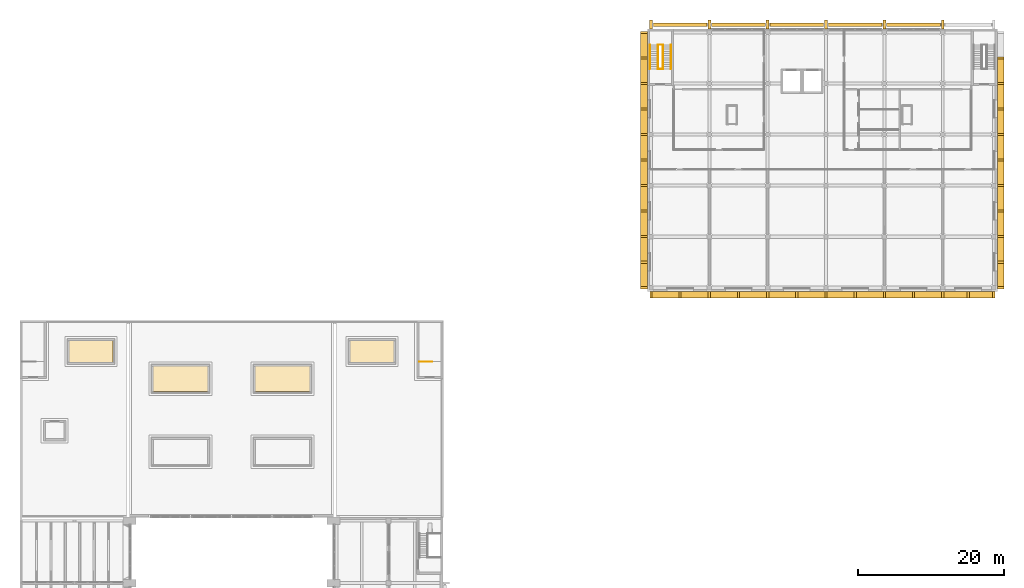
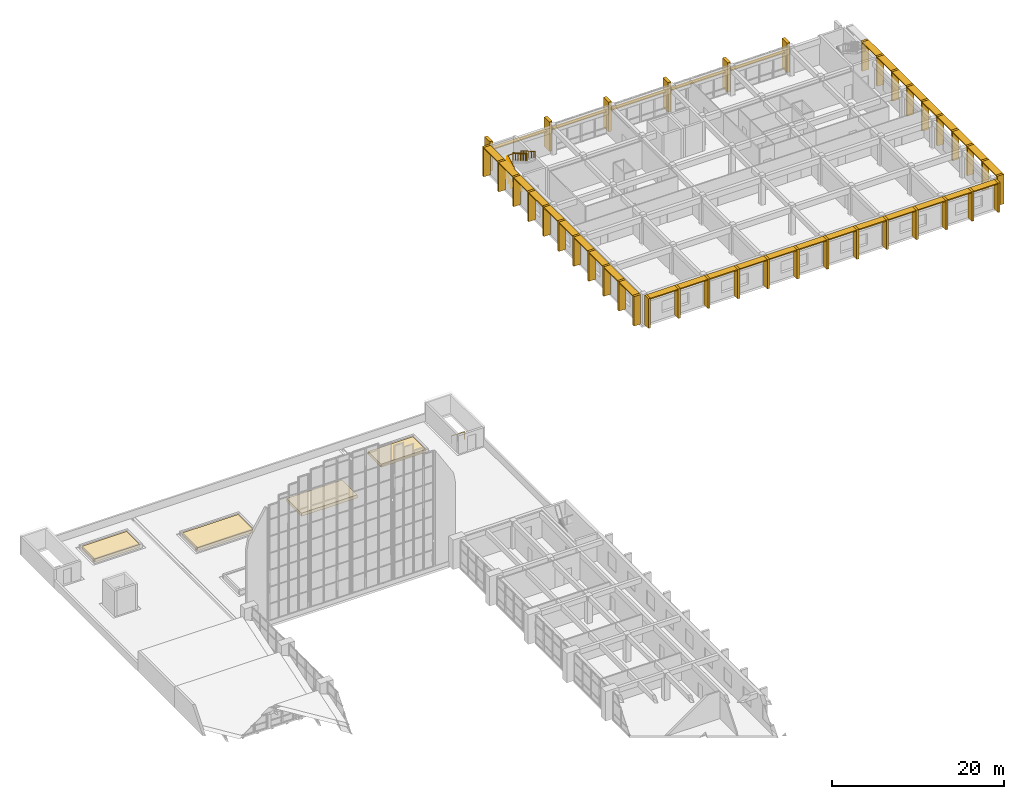
# One storey, part 42 of 43: 76 shading devices, 6 railings, 4 coverings.
"""IFC4 building model written with IfcOpenShell, lengths in metres."""

from ifc_helpers import new_model, si_unit, direction, frame, origin, origin_2d, place, context, subcontext, project, spatial, polyline, rectangle, circle, outline, extrude, material, layer, layer_set, type_object, element, save


model = new_model("IFC4")

# Units and contexts
model_context = context("Model", 3, precision=1e-05, world=origin(), true_north=direction((0.0, 1.0)))
body_context = subcontext(model_context, "Body", "Model", "MODEL_VIEW")
ifc_project = project(units=[si_unit("LENGTHUNIT", "METRE"), si_unit("AREAUNIT", "SQUARE_METRE"), si_unit("VOLUMEUNIT", "CUBIC_METRE"), si_unit("PLANEANGLEUNIT", "RADIAN"), si_unit("MASSUNIT", "GRAM", prefix="KILO")], contexts=[model_context])

# Site, building, storey
site_placement = place(None, origin())
site = spatial("IfcSite", under=ifc_project, at=site_placement, CompositionType="ELEMENT")
building_placement = place(site_placement, origin())
building = spatial("IfcBuilding", under=site, at=building_placement, Name="Elmora Arch Market Hall", CompositionType="ELEMENT")
storey_placement = place(building_placement, frame((0.0, 0.0, 10.199951171875)))
storey = spatial("IfcBuildingStorey", under=building, at=storey_placement, Name="L02", CompositionType="ELEMENT", Elevation=10.199951171875)

# Shading devices
ifc_material_1 = material(Name="Concrete C40/50", Category="concrete")
ifc_layer_1 = layer(ifc_material_1, 0.14990234375)
ifc_layer_set_1 = layer_set([ifc_layer_1], Name="Concrete C40/50")
shading_device_type_1 = type_object("IfcShadingDeviceType", Name="Concrete blade 150x900", PredefinedType="USERDEFINED", material=ifc_layer_set_1)
for number, where, z_axis, x_axis, name in (
    (1, (88.5, 129.550048828125, 4.050048828125), (0.0, 0.0, 1.0), (1.0, 0.0, 0.0), "School blade S1 L3"),
    (2, (92.5, 129.550048828125, 4.050048828125), (0.0, 0.0, 1.0), (1.0, 0.0, 0.0), "School blade S2 L3"),
    (3, (96.5, 129.550048828125, 4.050048828125), (0.0, 0.0, 1.0), (1.0, 0.0, 0.0), "School blade S3 L3"),
    (4, (100.5, 129.550048828125, 4.050048828125), (0.0, 0.0, 1.0), (1.0, 0.0, 0.0), "School blade S4 L3"),
    (5, (104.5, 129.550048828125, 4.050048828125), (0.0, 0.0, 1.0), (1.0, 0.0, 0.0), "School blade S5 L3"),
    (6, (108.5, 129.550048828125, 4.050048828125), (0.0, 0.0, 1.0), (1.0, 0.0, 0.0), "School blade S6 L3"),
    (7, (112.5, 129.550048828125, 4.050048828125), (0.0, 0.0, 1.0), (1.0, 0.0, 0.0), "School blade S7 L3"),
    (8, (116.5, 129.550048828125, 4.050048828125), (0.0, 0.0, 1.0), (1.0, 0.0, 0.0), "School blade S8 L3"),
    (9, (120.5, 129.550048828125, 4.050048828125), (0.0, 0.0, 1.0), (1.0, 0.0, 0.0), "School blade S9 L3"),
    (10, (124.5, 129.550048828125, 4.050048828125), (0.0, 0.0, 1.0), (1.0, 0.0, 0.0), "School blade S10 L3"),
):
    element("IfcShadingDevice", number, at=place(storey_placement, frame(where, z_axis=z_axis, x_axis=x_axis)), inside=storey, type_object=shading_device_type_1, Name=name, ObjectType="BLADE", PredefinedType="USERDEFINED", context=body_context, shape_type="SweptSolid", body=[
        extrude(rectangle(XDim=3.699951171875, YDim=0.89990234375, at=origin_2d()), origin(), (0.0, 0.0, 1.0), 0.14990234375),
    ])
for number, where, z_axis, x_axis, name in (
    (11, (128.25, 129.550048828125, 4.050048828125), (0.0, 0.0, 1.0), (1.0, 0.0, 0.0), "School blade S11 L3"),
    (12, (131.75, 129.550048828125, 4.050048828125), (0.0, 0.0, 1.0), (1.0, 0.0, 0.0), "School blade S12 L3"),
):
    element("IfcShadingDevice", number, at=place(storey_placement, frame(where, z_axis=z_axis, x_axis=x_axis)), inside=storey, type_object=shading_device_type_1, Name=name, ObjectType="BLADE", PredefinedType="USERDEFINED", context=body_context, shape_type="SweptSolid", body=[
        extrude(rectangle(XDim=3.199951171875, YDim=0.89990234375, at=origin_2d()), origin(), (0.0, 0.0, 1.0), 0.14990234375),
    ])
for number, where, z_axis, x_axis, name in (
    (13, (85.550048828125, 132.25, 4.050048828125), (0.0, 0.0, 1.0), (1.0, 0.0, 0.0), "School blade W1 L3"),
    (14, (85.550048828125, 135.75, 4.050048828125), (0.0, 0.0, 1.0), (1.0, 0.0, 0.0), "School blade W2 L3"),
    (15, (85.550048828125, 139.25, 4.050048828125), (0.0, 0.0, 1.0), (1.0, 0.0, 0.0), "School blade W3 L3"),
    (16, (85.550048828125, 142.75, 4.050048828125), (0.0, 0.0, 1.0), (1.0, 0.0, 0.0), "School blade W4 L3"),
    (17, (85.550048828125, 146.25, 4.050048828125), (0.0, 0.0, 1.0), (1.0, 0.0, 0.0), "School blade W5 L3"),
    (18, (85.550048828125, 149.75, 4.050048828125), (0.0, 0.0, 1.0), (1.0, 0.0, 0.0), "School blade W6 L3"),
    (19, (85.550048828125, 153.25, 4.050048828125), (0.0, 0.0, 1.0), (1.0, 0.0, 0.0), "School blade W7 L3"),
    (20, (85.550048828125, 156.75, 4.050048828125), (0.0, 0.0, 1.0), (1.0, 0.0, 0.0), "School blade W8 L3"),
    (21, (85.550048828125, 160.25, 4.050048828125), (0.0, 0.0, 1.0), (1.0, 0.0, 0.0), "School blade W9 L3"),
    (22, (85.550048828125, 163.75, 4.050048828125), (0.0, 0.0, 1.0), (1.0, 0.0, 0.0), "School blade W10 L3"),
    (23, (134.449951171875, 132.25, 4.050048828125), (0.0, 0.0, 1.0), (1.0, 0.0, 0.0), "School blade E1 L3"),
    (24, (134.449951171875, 135.75, 4.050048828125), (0.0, 0.0, 1.0), (1.0, 0.0, 0.0), "School blade E2 L3"),
    (25, (134.449951171875, 139.25, 4.050048828125), (0.0, 0.0, 1.0), (1.0, 0.0, 0.0), "School blade E3 L3"),
    (26, (134.449951171875, 142.75, 4.050048828125), (0.0, 0.0, 1.0), (1.0, 0.0, 0.0), "School blade E4 L3"),
    (27, (134.449951171875, 146.25, 4.050048828125), (0.0, 0.0, 1.0), (1.0, 0.0, 0.0), "School blade E5 L3"),
    (28, (134.449951171875, 149.75, 4.050048828125), (0.0, 0.0, 1.0), (1.0, 0.0, 0.0), "School blade E6 L3"),
    (29, (134.449951171875, 153.25, 4.050048828125), (0.0, 0.0, 1.0), (1.0, 0.0, 0.0), "School blade E7 L3"),
    (30, (134.449951171875, 156.75, 4.050048828125), (0.0, 0.0, 1.0), (1.0, 0.0, 0.0), "School blade E8 L3"),
    (31, (134.449951171875, 160.25, 4.050048828125), (0.0, 0.0, 1.0), (1.0, 0.0, 0.0), "School blade E9 L3"),
):
    element("IfcShadingDevice", number, at=place(storey_placement, frame(where, z_axis=z_axis, x_axis=x_axis)), inside=storey, type_object=shading_device_type_1, Name=name, ObjectType="BLADE", PredefinedType="USERDEFINED", context=body_context, shape_type="SweptSolid", body=[
        extrude(rectangle(XDim=0.89990234375, YDim=3.199951171875, at=origin_2d()), origin(), (0.0, 0.0, 1.0), 0.14990234375),
    ])
ifc_material_2 = material(Name="Concrete C40/50", Category="concrete")
shading_device_type_2 = type_object("IfcShadingDeviceType", Name="Concrete fin 300x900", PredefinedType="USERDEFINED", material=ifc_material_2)
for number, where, z_axis, x_axis, name in (
    (32, (86.5, 129.550048828125, 0.0), (0.0, 0.0, 1.0), (1.0, 0.0, 0.0), "School fin S1 L02"),
    (33, (90.5, 129.550048828125, 0.0), (0.0, 0.0, 1.0), (1.0, 0.0, 0.0), "School fin S2 L02"),
    (34, (94.5, 129.550048828125, 0.0), (0.0, 0.0, 1.0), (1.0, 0.0, 0.0), "School fin S3 L02"),
    (35, (98.5, 129.550048828125, 0.0), (0.0, 0.0, 1.0), (1.0, 0.0, 0.0), "School fin S4 L02"),
    (36, (102.5, 129.550048828125, 0.0), (0.0, 0.0, 1.0), (1.0, 0.0, 0.0), "School fin S5 L02"),
    (37, (106.5, 129.550048828125, 0.0), (0.0, 0.0, 1.0), (1.0, 0.0, 0.0), "School fin S6 L02"),
    (38, (110.5, 129.550048828125, 0.0), (0.0, 0.0, 1.0), (1.0, 0.0, 0.0), "School fin S7 L02"),
    (39, (114.5, 129.550048828125, 0.0), (0.0, 0.0, 1.0), (1.0, 0.0, 0.0), "School fin S8 L02"),
    (40, (118.5, 129.550048828125, 0.0), (0.0, 0.0, 1.0), (1.0, 0.0, 0.0), "School fin S9 L02"),
    (41, (122.5, 129.550048828125, 0.0), (0.0, 0.0, 1.0), (1.0, 0.0, 0.0), "School fin S10 L02"),
    (42, (126.5, 129.550048828125, 0.0), (0.0, 0.0, 1.0), (1.0, 0.0, 0.0), "School fin S11 L02"),
    (43, (130.0, 129.550048828125, 0.0), (0.0, 0.0, 1.0), (1.0, 0.0, 0.0), "School fin S12 L02"),
    (44, (133.5, 129.550048828125, 0.0), (0.0, 0.0, 1.0), (1.0, 0.0, 0.0), "School fin S13 L02"),
):
    element("IfcShadingDevice", number, at=place(storey_placement, frame(where, z_axis=z_axis, x_axis=x_axis)), inside=storey, type_object=shading_device_type_2, Name=name, ObjectType="FIN", PredefinedType="USERDEFINED", context=body_context, shape_type="SweptSolid", body=[
        extrude(rectangle(XDim=0.300048828125, YDim=0.89990234375, at=origin_2d()), origin(), (0.0, 0.0, 1.0), 4.199951171875),
    ])
for number, where, z_axis, x_axis, name in (
    (45, (85.550048828125, 130.5, 0.0), (0.0, 0.0, 1.0), (1.0, 0.0, 0.0), "School fin W1 L02"),
    (46, (85.550048828125, 134.0, 0.0), (0.0, 0.0, 1.0), (1.0, 0.0, 0.0), "School fin W2 L02"),
    (47, (85.550048828125, 137.5, 0.0), (0.0, 0.0, 1.0), (1.0, 0.0, 0.0), "School fin W3 L02"),
    (48, (85.550048828125, 141.0, 0.0), (0.0, 0.0, 1.0), (1.0, 0.0, 0.0), "School fin W4 L02"),
    (49, (85.550048828125, 144.5, 0.0), (0.0, 0.0, 1.0), (1.0, 0.0, 0.0), "School fin W5 L02"),
    (50, (85.550048828125, 148.0, 0.0), (0.0, 0.0, 1.0), (1.0, 0.0, 0.0), "School fin W6 L02"),
    (51, (85.550048828125, 151.5, 0.0), (0.0, 0.0, 1.0), (1.0, 0.0, 0.0), "School fin W7 L02"),
    (52, (85.550048828125, 155.0, 0.0), (0.0, 0.0, 1.0), (1.0, 0.0, 0.0), "School fin W8 L02"),
    (53, (85.550048828125, 158.5, 0.0), (0.0, 0.0, 1.0), (1.0, 0.0, 0.0), "School fin W9 L02"),
    (54, (85.550048828125, 162.0, 0.0), (0.0, 0.0, 1.0), (1.0, 0.0, 0.0), "School fin W10 L02"),
    (55, (85.550048828125, 165.5, 0.0), (0.0, 0.0, 1.0), (1.0, 0.0, 0.0), "School fin W11 L02"),
    (56, (134.449951171875, 130.5, 0.0), (0.0, 0.0, 1.0), (1.0, 0.0, 0.0), "School fin E1 L02"),
    (57, (134.449951171875, 134.0, 0.0), (0.0, 0.0, 1.0), (1.0, 0.0, 0.0), "School fin E2 L02"),
    (58, (134.449951171875, 137.5, 0.0), (0.0, 0.0, 1.0), (1.0, 0.0, 0.0), "School fin E3 L02"),
    (59, (134.449951171875, 141.0, 0.0), (0.0, 0.0, 1.0), (1.0, 0.0, 0.0), "School fin E4 L02"),
    (60, (134.449951171875, 144.5, 0.0), (0.0, 0.0, 1.0), (1.0, 0.0, 0.0), "School fin E5 L02"),
    (61, (134.449951171875, 148.0, 0.0), (0.0, 0.0, 1.0), (1.0, 0.0, 0.0), "School fin E6 L02"),
    (62, (134.449951171875, 151.5, 0.0), (0.0, 0.0, 1.0), (1.0, 0.0, 0.0), "School fin E7 L02"),
    (63, (134.449951171875, 155.0, 0.0), (0.0, 0.0, 1.0), (1.0, 0.0, 0.0), "School fin E8 L02"),
    (64, (134.449951171875, 158.5, 0.0), (0.0, 0.0, 1.0), (1.0, 0.0, 0.0), "School fin E9 L02"),
    (65, (134.449951171875, 162.0, 0.0), (0.0, 0.0, 1.0), (1.0, 0.0, 0.0), "School fin E10 L02"),
):
    element("IfcShadingDevice", number, at=place(storey_placement, frame(where, z_axis=z_axis, x_axis=x_axis)), inside=storey, type_object=shading_device_type_2, Name=name, ObjectType="FIN", PredefinedType="USERDEFINED", context=body_context, shape_type="SweptSolid", body=[
        extrude(rectangle(XDim=0.89990234375, YDim=0.300048828125, at=origin_2d()), origin(), (0.0, 0.0, 1.0), 4.199951171875),
    ])

# Coverings
ifc_material_3 = material(Name="Planting soil")
ifc_layer_2 = layer(ifc_material_3, 0.449951171875)
ifc_layer_set_2 = layer_set([ifc_layer_2], Name="Planting soil")
covering_type = type_object("IfcCoveringType", Name="Planter bed soil 450", PredefinedType="ROOFING", material=ifc_layer_set_2)
covering_1_placement = place(storey_placement, origin())
element("IfcCovering", 66, at=covering_1_placement, inside=storey, type_object=covering_type, Name="Planter bed soil 3", PredefinedType="ROOFING", context=body_context, shape_type="SweptSolid", body=[
    extrude(outline(polyline([(25.75, 116.25), (25.75, 119.75), (18.25, 119.75), (18.25, 116.25), (25.75, 116.25)])), origin(), (0.0, 0.0, 1.0), 0.449951171875),
])
covering_2_placement = place(storey_placement, origin())
element("IfcCovering", 67, at=covering_2_placement, inside=storey, type_object=covering_type, Name="Planter bed soil 4", PredefinedType="ROOFING", context=body_context, shape_type="SweptSolid", body=[
    extrude(outline(polyline([(39.75, 116.25), (39.75, 119.75), (32.25, 119.75), (32.25, 116.25), (39.75, 116.25)])), origin(), (0.0, 0.0, 1.0), 0.449951171875),
])
covering_3_placement = place(storey_placement, origin())
element("IfcCovering", 68, at=covering_3_placement, inside=storey, type_object=covering_type, Name="Planter bed soil 5", PredefinedType="ROOFING", context=body_context, shape_type="SweptSolid", body=[
    extrude(outline(polyline([(12.75, 120.25), (12.75, 123.25), (6.75, 123.25), (6.75, 120.25), (12.75, 120.25)])), origin(), (0.0, 0.0, 1.0), 0.449951171875),
])
covering_4_placement = place(storey_placement, origin())
element("IfcCovering", 69, at=covering_4_placement, inside=storey, type_object=covering_type, Name="Planter bed soil 6", PredefinedType="ROOFING", context=body_context, shape_type="SweptSolid", body=[
    extrude(outline(polyline([(51.25, 120.25), (51.25, 123.25), (45.25, 123.25), (45.25, 120.25), (51.25, 120.25)])), origin(), (0.0, 0.0, 1.0), 0.449951171875),
])

# Shading devices
ifc_material_4 = material(Name="Concrete C40/50", Category="concrete")
ifc_layer_3 = layer(ifc_material_4, 0.14990234375)
ifc_layer_set_3 = layer_set([ifc_layer_3], Name="Concrete C40/50")
shading_device_type_3 = type_object("IfcShadingDeviceType", Name="School blade 150x500", PredefinedType="USERDEFINED", material=ifc_layer_set_3)
for number, where, z_axis, x_axis, name in (
    (70, (90.5, 166.550048828125, 2.650146484375), (0.0, 0.0, 1.0), (1.0, 0.0, 0.0), "School blade N1 L02"),
    (71, (98.5, 166.550048828125, 2.650146484375), (0.0, 0.0, 1.0), (1.0, 0.0, 0.0), "School blade N2 L02"),
    (72, (106.5, 166.550048828125, 2.650146484375), (0.0, 0.0, 1.0), (1.0, 0.0, 0.0), "School blade N3 L02"),
    (73, (114.5, 166.550048828125, 2.650146484375), (0.0, 0.0, 1.0), (1.0, 0.0, 0.0), "School blade N4 L02"),
    (74, (122.5, 166.550048828125, 2.650146484375), (0.0, 0.0, 1.0), (1.0, 0.0, 0.0), "School blade N5 L02"),
):
    element("IfcShadingDevice", number, at=place(storey_placement, frame(where, z_axis=z_axis, x_axis=x_axis)), inside=storey, type_object=shading_device_type_3, Name=name, ObjectType="BLADE", PredefinedType="USERDEFINED", context=body_context, shape_type="SweptSolid", body=[
        extrude(rectangle(XDim=7.39990234375, YDim=0.5, at=origin_2d()), origin(), (0.0, 0.0, 1.0), 0.14990234375),
    ])
ifc_material_5 = material(Name="Concrete C40/50", Category="concrete")
shading_device_type_4 = type_object("IfcShadingDeviceType", Name="School fin 400x1200", PredefinedType="USERDEFINED", material=ifc_material_5)
for number, where, z_axis, x_axis, name in (
    (75, (86.5, 166.60009765625, 0.0), (0.0, 0.0, 1.0), (1.0, 0.0, 0.0), "School fin N1 L02"),
    (76, (94.5, 166.60009765625, 0.0), (0.0, 0.0, 1.0), (1.0, 0.0, 0.0), "School fin N2 L02"),
    (77, (102.5, 166.60009765625, 0.0), (0.0, 0.0, 1.0), (1.0, 0.0, 0.0), "School fin N3 L02"),
    (78, (110.5, 166.60009765625, 0.0), (0.0, 0.0, 1.0), (1.0, 0.0, 0.0), "School fin N4 L02"),
    (79, (118.5, 166.60009765625, 0.0), (0.0, 0.0, 1.0), (1.0, 0.0, 0.0), "School fin N5 L02"),
    (80, (126.5, 166.60009765625, 0.0), (0.0, 0.0, 1.0), (1.0, 0.0, 0.0), "School fin N6 L02"),
):
    element("IfcShadingDevice", number, at=place(storey_placement, frame(where, z_axis=z_axis, x_axis=x_axis)), inside=storey, type_object=shading_device_type_4, Name=name, ObjectType="FIN", PredefinedType="USERDEFINED", context=body_context, shape_type="SweptSolid", body=[
        extrude(rectangle(XDim=0.39990234375, YDim=1.199951171875, at=origin_2d()), origin(), (0.0, 0.0, 1.0), 4.199951171875),
    ])

# Railings
ifc_material_6 = material(Name="Steel ASTM A500 Gr C", Category="steel")
railing_type_1 = type_object("IfcRailingType", Name="Stair guard 1100", PredefinedType="GUARDRAIL", material=ifc_material_6)
railing_1_placement = place(storey_placement, frame((56.52001953125, 120.35009765625, 0.0)))
element("IfcRailing", 81, at=railing_1_placement, inside=storey, type_object=railing_type_1, Name="Stair ST-E guard L02", PredefinedType="GUARDRAIL", context=body_context, shape_type="SweptSolid", body=[
    extrude(circle(Radius=0.02392578125, at=origin_2d()), frame((0.0, 0.0, 1.076171875), z_axis=(-1.0, 0.0, 0.0), x_axis=(0.0, -1.0, 0.0)), (0.0, 0.0, 1.0), 1.760009765625),
    extrude(circle(Radius=0.02099609375, at=origin_2d()), origin(), (0.0, 0.0, 1.0), 1.052001953125),
    extrude(circle(Radius=0.02099609375, at=origin_2d()), frame((-0.8798828125, 0.0, 0.0)), (0.0, 0.0, 1.0), 1.052001953125),
    extrude(circle(Radius=0.02099609375, at=origin_2d()), frame((-1.760009765625, 0.0, 0.0)), (0.0, 0.0, 1.0), 1.052001953125),
])
railing_2_placement = place(storey_placement, frame((88.1201171875, 160.5, 0.0)))
element("IfcRailing", 82, at=railing_2_placement, inside=storey, type_object=railing_type_1, Name="Stair ST-SCW guard L02", PredefinedType="GUARDRAIL", context=body_context, shape_type="SweptSolid", body=[
    extrude(circle(Radius=0.02392578125, at=origin_2d()), frame((0.0, 0.0, 1.076171875), z_axis=(-1.0, 0.0, 0.0), x_axis=(0.0, -1.0, 0.0)), (0.0, 0.0, 1.0), 0.64013671875),
    extrude(circle(Radius=0.02392578125, at=origin_2d()), frame((-0.64013671875, 0.0, 1.076171875), z_axis=(0.0, 0.0, 1.0), x_axis=(1.0, 0.0, 0.0)), (0.0, 0.0, 1.0), 0.175048828125),
    extrude(circle(Radius=0.02392578125, at=origin_2d()), frame((-0.64013671875, 0.0, 1.2509765625), z_axis=(0.0, 0.863753409277, 0.503914722906), x_axis=(-1.0, 0.0, 0.0)), (0.0, 0.0, 1.0), 0.69482421875),
    extrude(circle(Radius=0.02392578125, at=origin_2d()), frame((-0.64013671875, 0.60009765625, 1.60107421875), z_axis=(0.0, 0.863817152568, 0.503805445515), x_axis=(-1.0, 0.0, 0.0)), (0.0, 0.0, 1.0), 0.6943359375),
    extrude(circle(Radius=0.02392578125, at=origin_2d()), frame((-0.64013671875, 1.199951171875, 1.951171875), z_axis=(0.0, 0.863753409277, 0.503914722906), x_axis=(-1.0, 0.0, 0.0)), (0.0, 0.0, 1.0), 0.69482421875),
    extrude(circle(Radius=0.02392578125, at=origin_2d()), frame((-0.64013671875, 1.800048828125, 2.30126953125), z_axis=(0.0, 0.863817152568, 0.503805445515), x_axis=(-1.0, 0.0, 0.0)), (0.0, 0.0, 1.0), 0.6943359375),
    extrude(circle(Radius=0.02392578125, at=origin_2d()), frame((-0.64013671875, 2.39990234375, 2.65087890625), z_axis=(0.0, 0.863753409277, 0.503914722906), x_axis=(-1.0, 0.0, 0.0)), (0.0, 0.0, 1.0), 0.69482421875),
    extrude(circle(Radius=0.02392578125, at=origin_2d()), frame((-0.64013671875, 3.0, 3.0009765625), z_axis=(0.0, 0.863753409277, 0.503914722906), x_axis=(-1.0, 0.0, 0.0)), (0.0, 0.0, 1.0), 0.347412109375),
    extrude(circle(Radius=0.02392578125, at=origin_2d()), frame((-0.64013671875, 3.300048828125, 3.17626953125), z_axis=(1.0, 0.0, 0.0), x_axis=(0.0, 1.0, 0.0)), (0.0, 0.0, 1.0), 0.64013671875),
    extrude(circle(Radius=0.02392578125, at=origin_2d()), frame((0.0, 3.300048828125, 3.17626953125), z_axis=(0.0, 0.0, 1.0), x_axis=(1.0, 0.0, 0.0)), (0.0, 0.0, 1.0), 0.175048828125),
    extrude(circle(Radius=0.02392578125, at=origin_2d()), frame((0.0, 3.300048828125, 3.35107421875), z_axis=(0.0, -0.863906348401, 0.503652480577), x_axis=(1.0, 0.0, 0.0)), (0.0, 0.0, 1.0), 0.694580078125),
    extrude(circle(Radius=0.02392578125, at=origin_2d()), frame((0.0, 2.699951171875, 3.701171875), z_axis=(0.0, -0.863664136355, 0.504067713282), x_axis=(1.0, 0.0, 0.0)), (0.0, 0.0, 1.0), 0.694580078125),
    extrude(circle(Radius=0.02392578125, at=origin_2d()), frame((0.0, 2.10009765625, 4.05126953125), z_axis=(0.0, -0.863906348401, 0.503652480577), x_axis=(1.0, 0.0, 0.0)), (0.0, 0.0, 1.0), 0.694580078125),
    extrude(circle(Radius=0.02392578125, at=origin_2d()), frame((0.0, 1.5, 4.40087890625), z_axis=(0.0, -0.863753409277, 0.503914722906), x_axis=(1.0, 0.0, 0.0)), (0.0, 0.0, 1.0), 0.69482421875),
    extrude(circle(Radius=0.02392578125, at=origin_2d()), frame((0.0, 0.89990234375, 4.7509765625), z_axis=(0.0, -0.863664136355, 0.504067713282), x_axis=(1.0, 0.0, 0.0)), (0.0, 0.0, 1.0), 0.694580078125),
    extrude(circle(Radius=0.02392578125, at=origin_2d()), frame((0.0, 0.300048828125, 5.10107421875), z_axis=(0.0, -0.86405926202, 0.503390098947), x_axis=(1.0, 0.0, 0.0)), (0.0, 0.0, 1.0), 0.34716796875),
    extrude(circle(Radius=0.02099609375, at=origin_2d()), origin(), (0.0, 0.0, 1.0), 1.052001953125),
    extrude(circle(Radius=0.02099609375, at=origin_2d()), frame((-0.64013671875, 0.0, 0.0)), (0.0, 0.0, 1.0), 1.052001953125),
    extrude(circle(Radius=0.02099609375, at=origin_2d()), frame((-0.64013671875, 0.0, 0.175048828125)), (0.0, 0.0, 1.0), 1.052001953125),
    extrude(circle(Radius=0.02099609375, at=origin_2d()), frame((-0.64013671875, 0.60009765625, 0.525146484375)), (0.0, 0.0, 1.0), 1.052001953125),
    extrude(circle(Radius=0.02099609375, at=origin_2d()), frame((-0.64013671875, 1.199951171875, 0.875)), (0.0, 0.0, 1.0), 1.052001953125),
    extrude(circle(Radius=0.02099609375, at=origin_2d()), frame((-0.64013671875, 1.800048828125, 1.22509765625)), (0.0, 0.0, 1.0), 1.052001953125),
    extrude(circle(Radius=0.02099609375, at=origin_2d()), frame((-0.64013671875, 2.39990234375, 1.574951171875)), (0.0, 0.0, 1.0), 1.052001953125),
    extrude(circle(Radius=0.02099609375, at=origin_2d()), frame((-0.64013671875, 3.0, 1.925048828125)), (0.0, 0.0, 1.0), 1.052001953125),
    extrude(circle(Radius=0.02099609375, at=origin_2d()), frame((-0.64013671875, 3.300048828125, 2.10009765625)), (0.0, 0.0, 1.0), 1.052001953125),
    extrude(circle(Radius=0.02099609375, at=origin_2d()), frame((0.0, 3.300048828125, 2.10009765625)), (0.0, 0.0, 1.0), 1.052001953125),
    extrude(circle(Radius=0.02099609375, at=origin_2d()), frame((0.0, 3.300048828125, 2.275146484375)), (0.0, 0.0, 1.0), 1.052001953125),
    extrude(circle(Radius=0.02099609375, at=origin_2d()), frame((0.0, 2.699951171875, 2.625)), (0.0, 0.0, 1.0), 1.052001953125),
    extrude(circle(Radius=0.02099609375, at=origin_2d()), frame((0.0, 2.10009765625, 2.97509765625)), (0.0, 0.0, 1.0), 1.052001953125),
    extrude(circle(Radius=0.02099609375, at=origin_2d()), frame((0.0, 1.5, 3.324951171875)), (0.0, 0.0, 1.0), 1.052001953125),
    extrude(circle(Radius=0.02099609375, at=origin_2d()), frame((0.0, 0.89990234375, 3.675048828125)), (0.0, 0.0, 1.0), 1.052001953125),
    extrude(circle(Radius=0.02099609375, at=origin_2d()), frame((0.0, 0.300048828125, 4.025146484375)), (0.0, 0.0, 1.0), 1.052001953125),
    extrude(circle(Radius=0.02099609375, at=origin_2d()), frame((0.0, 0.0, 4.199951171875)), (0.0, 0.0, 1.0), 1.052001953125),
])
ifc_material_7 = material(Name="Stainless steel ASTM A554 Grade 304", Category="steel")
railing_type_2 = type_object("IfcRailingType", Name="Stair handrail 950", PredefinedType="HANDRAIL", material=ifc_material_7)
railing_3_placement = place(storey_placement, frame((86.360107421875, 160.5, 0.175048828125)))
element("IfcRailing", 83, at=railing_3_placement, inside=storey, type_object=railing_type_2, Name="Stair ST-SCW L02 flight 1 handrail", PredefinedType="HANDRAIL", context=body_context, shape_type="SweptSolid", body=[
    extrude(circle(Radius=0.02392578125, at=origin_2d()), frame((0.0, 0.0, 0.92578125), z_axis=(0.0, 0.863753409277, 0.503914722906), x_axis=(-1.0, 0.0, 0.0)), (0.0, 0.0, 1.0), 0.69482421875),
    extrude(circle(Radius=0.02392578125, at=origin_2d()), frame((0.0, 0.60009765625, 1.27587890625), z_axis=(0.0, 0.863817152568, 0.503805445515), x_axis=(-1.0, 0.0, 0.0)), (0.0, 0.0, 1.0), 0.6943359375),
    extrude(circle(Radius=0.02392578125, at=origin_2d()), frame((0.0, 1.199951171875, 1.6259765625), z_axis=(0.0, 0.863753409277, 0.503914722906), x_axis=(-1.0, 0.0, 0.0)), (0.0, 0.0, 1.0), 0.69482421875),
    extrude(circle(Radius=0.02392578125, at=origin_2d()), frame((0.0, 1.800048828125, 1.97607421875), z_axis=(0.0, 0.863817152568, 0.503805445515), x_axis=(-1.0, 0.0, 0.0)), (0.0, 0.0, 1.0), 0.6943359375),
    extrude(circle(Radius=0.02392578125, at=origin_2d()), frame((0.0, 2.39990234375, 2.32568359375), z_axis=(0.0, 0.863753409277, 0.503914722906), x_axis=(-1.0, 0.0, 0.0)), (0.0, 0.0, 1.0), 0.69482421875),
    extrude(circle(Radius=0.02392578125, at=origin_2d()), frame((0.0, 3.0, 2.67578125), z_axis=(0.0, 0.863753409277, 0.503914722906), x_axis=(-1.0, 0.0, 0.0)), (0.0, 0.0, 1.0), 0.347412109375),
    extrude(circle(Radius=0.02099609375, at=origin_2d()), origin(), (0.0, 0.0, 1.0), 0.90185546875),
    extrude(circle(Radius=0.02099609375, at=origin_2d()), frame((0.0, 0.60009765625, 0.35009765625)), (0.0, 0.0, 1.0), 0.90185546875),
    extrude(circle(Radius=0.02099609375, at=origin_2d()), frame((0.0, 1.199951171875, 0.699951171875)), (0.0, 0.0, 1.0), 0.90185546875),
    extrude(circle(Radius=0.02099609375, at=origin_2d()), frame((0.0, 1.800048828125, 1.050048828125)), (0.0, 0.0, 1.0), 0.90185546875),
    extrude(circle(Radius=0.02099609375, at=origin_2d()), frame((0.0, 2.39990234375, 1.39990234375)), (0.0, 0.0, 1.0), 0.90185546875),
    extrude(circle(Radius=0.02099609375, at=origin_2d()), frame((0.0, 3.0, 1.75)), (0.0, 0.0, 1.0), 0.90185546875),
    extrude(circle(Radius=0.02099609375, at=origin_2d()), frame((0.0, 3.300048828125, 1.925048828125)), (0.0, 0.0, 1.0), 0.90185546875),
])
railing_4_placement = place(storey_placement, frame((87.429931640625, 160.5, 0.175048828125)))
element("IfcRailing", 84, at=railing_4_placement, inside=storey, type_object=railing_type_2, Name="Stair ST-SCW L02 flight 1 handrail", PredefinedType="HANDRAIL", context=body_context, shape_type="SweptSolid", body=[
    extrude(circle(Radius=0.02392578125, at=origin_2d()), frame((0.0, 0.0, 0.92578125), z_axis=(0.0, 0.863753409277, 0.503914722906), x_axis=(-1.0, 0.0, 0.0)), (0.0, 0.0, 1.0), 0.69482421875),
    extrude(circle(Radius=0.02392578125, at=origin_2d()), frame((0.0, 0.60009765625, 1.27587890625), z_axis=(0.0, 0.863817152568, 0.503805445515), x_axis=(-1.0, 0.0, 0.0)), (0.0, 0.0, 1.0), 0.6943359375),
    extrude(circle(Radius=0.02392578125, at=origin_2d()), frame((0.0, 1.199951171875, 1.6259765625), z_axis=(0.0, 0.863753409277, 0.503914722906), x_axis=(-1.0, 0.0, 0.0)), (0.0, 0.0, 1.0), 0.69482421875),
    extrude(circle(Radius=0.02392578125, at=origin_2d()), frame((0.0, 1.800048828125, 1.97607421875), z_axis=(0.0, 0.863817152568, 0.503805445515), x_axis=(-1.0, 0.0, 0.0)), (0.0, 0.0, 1.0), 0.6943359375),
    extrude(circle(Radius=0.02392578125, at=origin_2d()), frame((0.0, 2.39990234375, 2.32568359375), z_axis=(0.0, 0.863753409277, 0.503914722906), x_axis=(-1.0, 0.0, 0.0)), (0.0, 0.0, 1.0), 0.69482421875),
    extrude(circle(Radius=0.02392578125, at=origin_2d()), frame((0.0, 3.0, 2.67578125), z_axis=(0.0, 0.863753409277, 0.503914722906), x_axis=(-1.0, 0.0, 0.0)), (0.0, 0.0, 1.0), 0.347412109375),
    extrude(circle(Radius=0.02099609375, at=origin_2d()), origin(), (0.0, 0.0, 1.0), 0.90185546875),
    extrude(circle(Radius=0.02099609375, at=origin_2d()), frame((0.0, 0.60009765625, 0.35009765625)), (0.0, 0.0, 1.0), 0.90185546875),
    extrude(circle(Radius=0.02099609375, at=origin_2d()), frame((0.0, 1.199951171875, 0.699951171875)), (0.0, 0.0, 1.0), 0.90185546875),
    extrude(circle(Radius=0.02099609375, at=origin_2d()), frame((0.0, 1.800048828125, 1.050048828125)), (0.0, 0.0, 1.0), 0.90185546875),
    extrude(circle(Radius=0.02099609375, at=origin_2d()), frame((0.0, 2.39990234375, 1.39990234375)), (0.0, 0.0, 1.0), 0.90185546875),
    extrude(circle(Radius=0.02099609375, at=origin_2d()), frame((0.0, 3.0, 1.75)), (0.0, 0.0, 1.0), 0.90185546875),
    extrude(circle(Radius=0.02099609375, at=origin_2d()), frame((0.0, 3.300048828125, 1.925048828125)), (0.0, 0.0, 1.0), 0.90185546875),
])
railing_5_placement = place(storey_placement, frame((89.239990234375, 163.800048828125, 2.275146484375)))
element("IfcRailing", 85, at=railing_5_placement, inside=storey, type_object=railing_type_2, Name="Stair ST-SCW L02 flight 2 handrail", PredefinedType="HANDRAIL", context=body_context, shape_type="SweptSolid", body=[
    extrude(circle(Radius=0.02392578125, at=origin_2d()), frame((0.0, 0.0, 0.92578125), z_axis=(0.0, -0.863906348401, 0.503652480577), x_axis=(1.0, 0.0, 0.0)), (0.0, 0.0, 1.0), 0.694580078125),
    extrude(circle(Radius=0.02392578125, at=origin_2d()), frame((0.0, -0.60009765625, 1.27587890625), z_axis=(0.0, -0.863664136355, 0.504067713282), x_axis=(1.0, 0.0, 0.0)), (0.0, 0.0, 1.0), 0.694580078125),
    extrude(circle(Radius=0.02392578125, at=origin_2d()), frame((0.0, -1.199951171875, 1.6259765625), z_axis=(0.0, -0.863906348401, 0.503652480577), x_axis=(1.0, 0.0, 0.0)), (0.0, 0.0, 1.0), 0.694580078125),
    extrude(circle(Radius=0.02392578125, at=origin_2d()), frame((0.0, -1.800048828125, 1.9755859375), z_axis=(0.0, -0.863753409277, 0.503914722906), x_axis=(1.0, 0.0, 0.0)), (0.0, 0.0, 1.0), 0.69482421875),
    extrude(circle(Radius=0.02392578125, at=origin_2d()), frame((0.0, -2.400146484375, 2.32568359375), z_axis=(0.0, -0.863664136355, 0.504067713282), x_axis=(1.0, 0.0, 0.0)), (0.0, 0.0, 1.0), 0.694580078125),
    extrude(circle(Radius=0.02392578125, at=origin_2d()), frame((0.0, -3.0, 2.67578125), z_axis=(0.0, -0.86405926202, 0.503390098947), x_axis=(1.0, 0.0, 0.0)), (0.0, 0.0, 1.0), 0.34716796875),
    extrude(circle(Radius=0.02099609375, at=origin_2d()), origin(), (0.0, 0.0, 1.0), 0.90185546875),
    extrude(circle(Radius=0.02099609375, at=origin_2d()), frame((0.0, -0.60009765625, 0.349853515625)), (0.0, 0.0, 1.0), 0.90185546875),
    extrude(circle(Radius=0.02099609375, at=origin_2d()), frame((0.0, -1.199951171875, 0.699951171875)), (0.0, 0.0, 1.0), 0.90185546875),
    extrude(circle(Radius=0.02099609375, at=origin_2d()), frame((0.0, -1.800048828125, 1.0498046875)), (0.0, 0.0, 1.0), 0.90185546875),
    extrude(circle(Radius=0.02099609375, at=origin_2d()), frame((0.0, -2.400146484375, 1.39990234375)), (0.0, 0.0, 1.0), 0.90185546875),
    extrude(circle(Radius=0.02099609375, at=origin_2d()), frame((0.0, -3.0, 1.75)), (0.0, 0.0, 1.0), 0.90185546875),
    extrude(circle(Radius=0.02099609375, at=origin_2d()), frame((0.0, -3.300048828125, 1.9248046875)), (0.0, 0.0, 1.0), 0.90185546875),
])
railing_6_placement = place(storey_placement, frame((88.169921875, 163.800048828125, 2.275146484375)))
element("IfcRailing", 86, at=railing_6_placement, inside=storey, type_object=railing_type_2, Name="Stair ST-SCW L02 flight 2 handrail", PredefinedType="HANDRAIL", context=body_context, shape_type="SweptSolid", body=[
    extrude(circle(Radius=0.02392578125, at=origin_2d()), frame((0.0, 0.0, 0.92578125), z_axis=(0.0, -0.863906348401, 0.503652480577), x_axis=(1.0, 0.0, 0.0)), (0.0, 0.0, 1.0), 0.694580078125),
    extrude(circle(Radius=0.02392578125, at=origin_2d()), frame((0.0, -0.60009765625, 1.27587890625), z_axis=(0.0, -0.863664136355, 0.504067713282), x_axis=(1.0, 0.0, 0.0)), (0.0, 0.0, 1.0), 0.694580078125),
    extrude(circle(Radius=0.02392578125, at=origin_2d()), frame((0.0, -1.199951171875, 1.6259765625), z_axis=(0.0, -0.863906348401, 0.503652480577), x_axis=(1.0, 0.0, 0.0)), (0.0, 0.0, 1.0), 0.694580078125),
    extrude(circle(Radius=0.02392578125, at=origin_2d()), frame((0.0, -1.800048828125, 1.9755859375), z_axis=(0.0, -0.863753409277, 0.503914722906), x_axis=(1.0, 0.0, 0.0)), (0.0, 0.0, 1.0), 0.69482421875),
    extrude(circle(Radius=0.02392578125, at=origin_2d()), frame((0.0, -2.400146484375, 2.32568359375), z_axis=(0.0, -0.863664136355, 0.504067713282), x_axis=(1.0, 0.0, 0.0)), (0.0, 0.0, 1.0), 0.694580078125),
    extrude(circle(Radius=0.02392578125, at=origin_2d()), frame((0.0, -3.0, 2.67578125), z_axis=(0.0, -0.86405926202, 0.503390098947), x_axis=(1.0, 0.0, 0.0)), (0.0, 0.0, 1.0), 0.34716796875),
    extrude(circle(Radius=0.02099609375, at=origin_2d()), origin(), (0.0, 0.0, 1.0), 0.90185546875),
    extrude(circle(Radius=0.02099609375, at=origin_2d()), frame((0.0, -0.60009765625, 0.349853515625)), (0.0, 0.0, 1.0), 0.90185546875),
    extrude(circle(Radius=0.02099609375, at=origin_2d()), frame((0.0, -1.199951171875, 0.699951171875)), (0.0, 0.0, 1.0), 0.90185546875),
    extrude(circle(Radius=0.02099609375, at=origin_2d()), frame((0.0, -1.800048828125, 1.0498046875)), (0.0, 0.0, 1.0), 0.90185546875),
    extrude(circle(Radius=0.02099609375, at=origin_2d()), frame((0.0, -2.400146484375, 1.39990234375)), (0.0, 0.0, 1.0), 0.90185546875),
    extrude(circle(Radius=0.02099609375, at=origin_2d()), frame((0.0, -3.0, 1.75)), (0.0, 0.0, 1.0), 0.90185546875),
    extrude(circle(Radius=0.02099609375, at=origin_2d()), frame((0.0, -3.300048828125, 1.9248046875)), (0.0, 0.0, 1.0), 0.90185546875),
])

save(model, "model.ifc")
